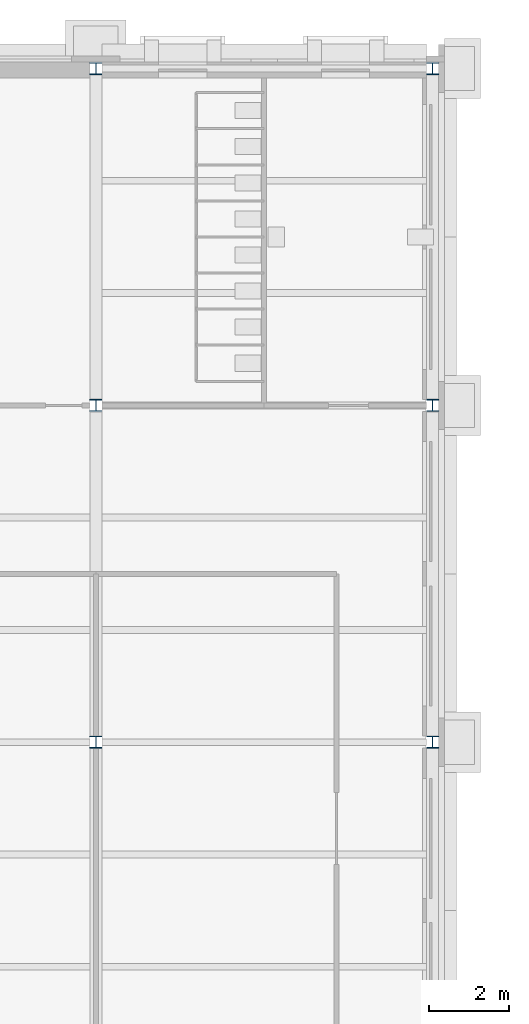
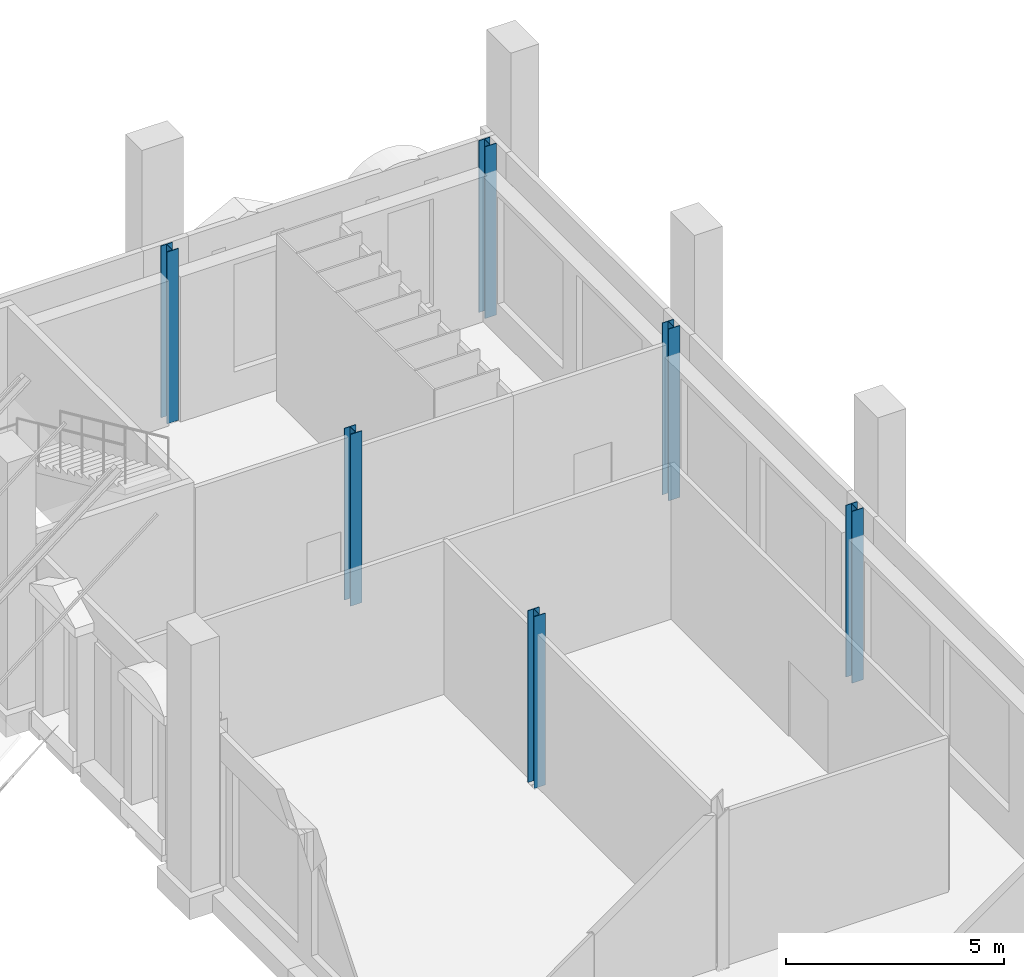
# One storey, part 10 of 76: 6 columns.
"""IFC4 building model written with IfcOpenShell, lengths in metres."""

import ifcopenshell
import ifcopenshell.guid

model = None  # the IFC model being written
_history = None  # IfcOwnerHistory: only IFC2X3 demands one
_inside = {}  # id of a spatial element -> (the spatial element, [elements in it])
_under = {}  # id of a project, library or spatial element -> (it, [spatial elements below it])
_declared = {}  # id of a project -> (the project, [libraries it declares])
_typed = {}  # id of a type object -> (the type object, [elements of that type])
_made_of = {}  # id of a material, layer set ... -> (it, [elements and type objects made of it])


def new_model(schema):
    """Start an empty IFC model of exactly this schema.

    Asked for "IFC4X3", IfcOpenShell would pick the latest addendum, in which some entities
    have other attributes; the version numbers below select the first issue.
    IFC2X3 requires an IfcOwnerHistory on every rooted entity: one is made here for all.
    """
    global model, _history
    if schema == "IFC4X3":
        model = ifcopenshell.file(schema_version=(4, 3, 0, 0))
    else:
        model = ifcopenshell.file(schema=schema)
    _inside.clear()
    _under.clear()
    _declared.clear()
    _typed.clear()
    _made_of.clear()
    _history = None
    if model.schema == "IFC2X3":
        org = make("IfcOrganization", Name="unknown")
        user = make(
            "IfcPersonAndOrganization",
            ThePerson=make("IfcPerson", FamilyName="unknown"),
            TheOrganization=org,
        )
        app = make(
            "IfcApplication",
            ApplicationDeveloper=org,
            Version="unknown",
            ApplicationFullName="unknown",
            ApplicationIdentifier="unknown",
        )
        _history = make(
            "IfcOwnerHistory",
            OwningUser=user,
            OwningApplication=app,
            ChangeAction="ADDED",
            CreationDate=0,
        )
    return model


def make(cls, **values):
    """One entity of the class cls with the attributes given. An attribute that is None is left unset."""
    return model.create_entity(
        cls, **{name: value for name, value in values.items() if value is not None}
    )


def rooted(cls, **values):
    """An entity with a GlobalId (a new one), such as an element, a storey or a relation."""
    return make(cls, GlobalId=ifcopenshell.guid.new(), OwnerHistory=_history, **values)


def si_unit(unit_type, name, prefix=None):
    """IfcSIUnit, for example si_unit("LENGTHUNIT", "METRE", prefix="MILLI")."""
    return make("IfcSIUnit", UnitType=unit_type, Prefix=prefix, Name=name)


def assignment(units):
    """IfcUnitAssignment: the units of a project."""
    return None if units is None else make("IfcUnitAssignment", Units=units)


def point(xyz):
    """IfcCartesianPoint."""
    return None if xyz is None else make("IfcCartesianPoint", Coordinates=xyz)


def direction(xyz):
    """IfcDirection."""
    return None if xyz is None else make("IfcDirection", DirectionRatios=xyz)


def frame(location, z_axis=None, x_axis=None):
    """IfcAxis2Placement3D, a coordinate frame: its origin and axes. An axis left out is left unset."""
    return make(
        "IfcAxis2Placement3D",
        Location=point(location),
        Axis=direction(z_axis),
        RefDirection=direction(x_axis),
    )


def frame_2d(location, x_axis=None):
    """IfcAxis2Placement2D, a coordinate frame in the plane: its origin and x axis."""
    return make(
        "IfcAxis2Placement2D", Location=point(location), RefDirection=direction(x_axis)
    )


def origin():
    """The frame at (0, 0, 0) with its axes left unset."""
    return frame((0.0, 0.0, 0.0))


def origin_2d():
    """The frame at (0, 0) in the plane with its x axis left unset."""
    return frame_2d((0.0, 0.0))


def place(relative_to, where):
    """IfcLocalPlacement: puts the frame where relative to a parent placement (None: the world)."""
    return make(
        "IfcLocalPlacement", PlacementRelTo=relative_to, RelativePlacement=where
    )


def context(
    kind, dimensions, precision=None, world=None, true_north=None, identifier=None
):
    """IfcGeometricRepresentationContext, for example the 3D "Model" context."""
    return make(
        "IfcGeometricRepresentationContext",
        ContextIdentifier=identifier,
        ContextType=kind,
        CoordinateSpaceDimension=dimensions,
        Precision=precision,
        WorldCoordinateSystem=world,
        TrueNorth=true_north,
    )


def subcontext(parent, identifier, kind, view, scale=None):
    """IfcGeometricRepresentationSubContext, for example "Body" below "Model"."""
    return make(
        "IfcGeometricRepresentationSubContext",
        ContextIdentifier=identifier,
        ContextType=kind,
        ParentContext=parent,
        TargetScale=scale,
        TargetView=view,
    )


def project(units=None, contexts=None):
    """IfcProject with its units and contexts."""
    return rooted(
        "IfcProject",
        Name="project",
        RepresentationContexts=contexts,
        UnitsInContext=assignment(units),
    )


def spatial(cls, under=None, at=None, **own):
    """A site, building, storey or space (cls), placed at a placement, below another one or the project."""
    s = rooted(cls, ObjectPlacement=at, **own)
    if under is not None:
        _under.setdefault(under.id(), (under, []))[1].append(s)
    return s


def profile(cls, at=None, kind="AREA", **sizes):
    """A parametric profile (cls). Its sizes go by their IFC names, for example OverallWidth=200.0."""
    return make(cls, ProfileType=kind, Position=at, **sizes)


def i_section(**sizes):
    """IfcIShapeProfileDef."""
    return profile("IfcIShapeProfileDef", **sizes)


def extrude(swept, where, along, depth):
    """IfcExtrudedAreaSolid: the profile swept, set in the frame where, extruded along a direction by depth."""
    return make(
        "IfcExtrudedAreaSolid",
        SweptArea=swept,
        Position=where,
        ExtrudedDirection=direction(along),
        Depth=depth,
    )


def shape(context_of_items, identifier, shape_type, items):
    """IfcShapeRepresentation: the items that make up one representation, for example the "Body"."""
    return make(
        "IfcShapeRepresentation",
        ContextOfItems=context_of_items,
        RepresentationIdentifier=identifier,
        RepresentationType=shape_type,
        Items=items,
    )


def material(Name=None, Category=None):
    """IfcMaterial."""
    return make("IfcMaterial", Name=Name, Category=Category)


def material_profile(
    of_material, cross_section, Name=None, Category=None, Priority=None
):
    """IfcMaterialProfile: a cross section and its material."""
    return make(
        "IfcMaterialProfile",
        Name=Name,
        Material=of_material,
        Profile=cross_section,
        Priority=Priority,
        Category=Category,
    )


def profile_set(profiles, Name=None, composite=None):
    """IfcMaterialProfileSet."""
    return make(
        "IfcMaterialProfileSet",
        Name=Name,
        MaterialProfiles=profiles,
        CompositeProfile=composite,
    )


def made_of(thing, what):
    """Note that an element or type object is made of a material, layer set ...; save() writes the relation."""
    if what is not None:
        _made_of.setdefault(what.id(), (what, []))[1].append(thing)
    return thing


def type_object(cls, material=None, **own):
    """A type object (cls), such as IfcWallType, which elements share."""
    return made_of(rooted(cls, **own), material)


def element(
    cls,
    number,
    at=None,
    inside=None,
    cuts=None,
    type_object=None,
    material=None,
    context=None,
    identifier="Body",
    shape_type=None,
    held_by="IfcProductDefinitionShape",
    body=None,
    shapes=None,
    **own,
):
    """One element of the class cls, such as IfcWall. Its Tag is "e" and its number.

    at: its placement. inside: the storey or other place that contains it. cuts: it is an
    opening in that element (IfcRelVoidsElement). A single representation is given by context,
    identifier, shape_type and body (its items); several are given by shapes. held_by: the class
    of the entity that holds the representations. save() writes the other relations.
    """
    e = rooted(cls, Tag="e%d" % number, ObjectPlacement=at, **own)
    if body is not None:
        shapes = [shape(context, identifier, shape_type, body)]
    if shapes is not None:
        e.Representation = make(held_by, Representations=shapes)
    if inside is not None:
        _inside.setdefault(inside.id(), (inside, []))[1].append(e)
    if cuts is not None:
        rooted(
            "IfcRelVoidsElement", RelatingBuildingElement=cuts, RelatedOpeningElement=e
        )
    if type_object is not None:
        _typed.setdefault(type_object.id(), (type_object, []))[1].append(e)
    return made_of(e, material)


def aggregate(whole, parts):
    """IfcRelAggregates: a whole, such as a stair, and the parts it consists of."""
    return rooted("IfcRelAggregates", RelatingObject=whole, RelatedObjects=parts)


def save(model, path):
    """Write the relations noted so far, then the file.

    IfcRelAggregates (storeys below a building ...), IfcRelContainedInSpatialStructure (elements
    in a storey), IfcRelDefinesByType, IfcRelAssociatesMaterial and IfcRelDeclares: one each for
    every whole, place, type object, material and project.
    """
    for whole, parts in _under.values():
        aggregate(whole, parts)
    for where, things in _inside.values():
        rooted(
            "IfcRelContainedInSpatialStructure",
            RelatedElements=things,
            RelatingStructure=where,
        )
    for kind, things in _typed.values():
        rooted("IfcRelDefinesByType", RelatedObjects=things, RelatingType=kind)
    for what, things in _made_of.values():
        rooted("IfcRelAssociatesMaterial", RelatedObjects=things, RelatingMaterial=what)
    for by, libraries in _declared.values():
        rooted("IfcRelDeclares", RelatingContext=by, RelatedDefinitions=libraries)
    model.write(path)


model = new_model("IFC4")

# Units and contexts
model_context = context("Model", 3, precision=1e-05, world=origin(), true_north=direction((0.0, 1.0)))
body_context = subcontext(model_context, "Body", "Model", "MODEL_VIEW")
ifc_project = project(units=[si_unit("LENGTHUNIT", "METRE"), si_unit("AREAUNIT", "SQUARE_METRE"), si_unit("VOLUMEUNIT", "CUBIC_METRE"), si_unit("PLANEANGLEUNIT", "RADIAN"), si_unit("MASSUNIT", "GRAM", prefix="KILO")], contexts=[model_context])

# Site, building, storey
site_placement = place(None, origin())
site = spatial("IfcSite", under=ifc_project, at=site_placement, CompositionType="ELEMENT")
building_placement = place(site_placement, origin())
building = spatial("IfcBuilding", under=site, at=building_placement, Name="Sava Quay Ferry Terminal", CompositionType="ELEMENT")
storey_placement = place(building_placement, frame((0.0, 0.0, 6.0)))
storey = spatial("IfcBuildingStorey", under=building, at=storey_placement, Name="L01", CompositionType="ELEMENT", Elevation=6.0)

# Columns
ifc_material = material(Name="Steel S355", Category="steel")
ifc_material_profile = material_profile(ifc_material, i_section(OverallWidth=0.300048828125, OverallDepth=0.300048828125, WebThickness=0.010986328125, FlangeThickness=0.01904296875, at=origin_2d()), Name="HE 300 B")
ifc_profile_set = profile_set([ifc_material_profile], Name="Steel S355")
column_type = type_object("IfcColumnType", Name="Column HE 300 B", PredefinedType="COLUMN", material=ifc_profile_set)
for number, where, z_axis, x_axis, name in (
    (1, (100.800048828125, 92.39990234375, 0.0), (0.0, 0.0, 1.0), (1.0, 0.0, 0.0), "Column L01 100.8/92.4"),
    (2, (100.800048828125, 100.800048828125, 0.0), (0.0, 0.0, 1.0), (1.0, 0.0, 0.0), "Column L01 100.8/100.8"),
    (3, (100.800048828125, 109.199951171875, 0.0), (0.0, 0.0, 1.0), (1.0, 0.0, 0.0), "Column L01 100.8/109.2"),
    (4, (109.199951171875, 92.39990234375, 0.0), (0.0, 0.0, 1.0), (1.0, 0.0, 0.0), "Column L01 109.2/92.4"),
    (5, (109.199951171875, 100.800048828125, 0.0), (0.0, 0.0, 1.0), (1.0, 0.0, 0.0), "Column L01 109.2/100.8"),
    (6, (109.199951171875, 109.199951171875, 0.0), (0.0, 0.0, 1.0), (1.0, 0.0, 0.0), "Column L01 109.2/109.2"),
):
    element("IfcColumn", number, at=place(storey_placement, frame(where, z_axis=z_axis, x_axis=x_axis)), inside=storey, type_object=column_type, Name=name, PredefinedType="COLUMN", context=body_context, shape_type="SweptSolid", body=[
        extrude(i_section(OverallWidth=0.300048828125, OverallDepth=0.300048828125, WebThickness=0.010986328125, FlangeThickness=0.01904296875, at=origin_2d()), origin(), (0.0, 0.0, 1.0), 4.800048828125),
    ])

save(model, "model.ifc")
